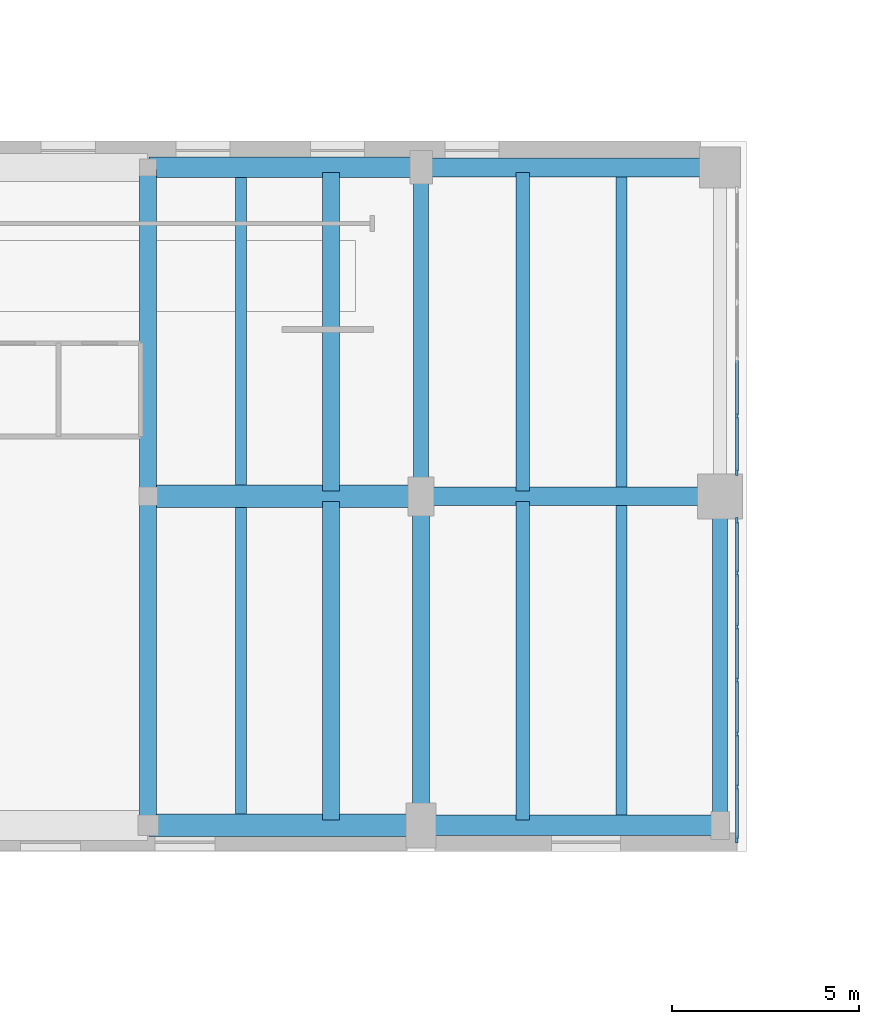
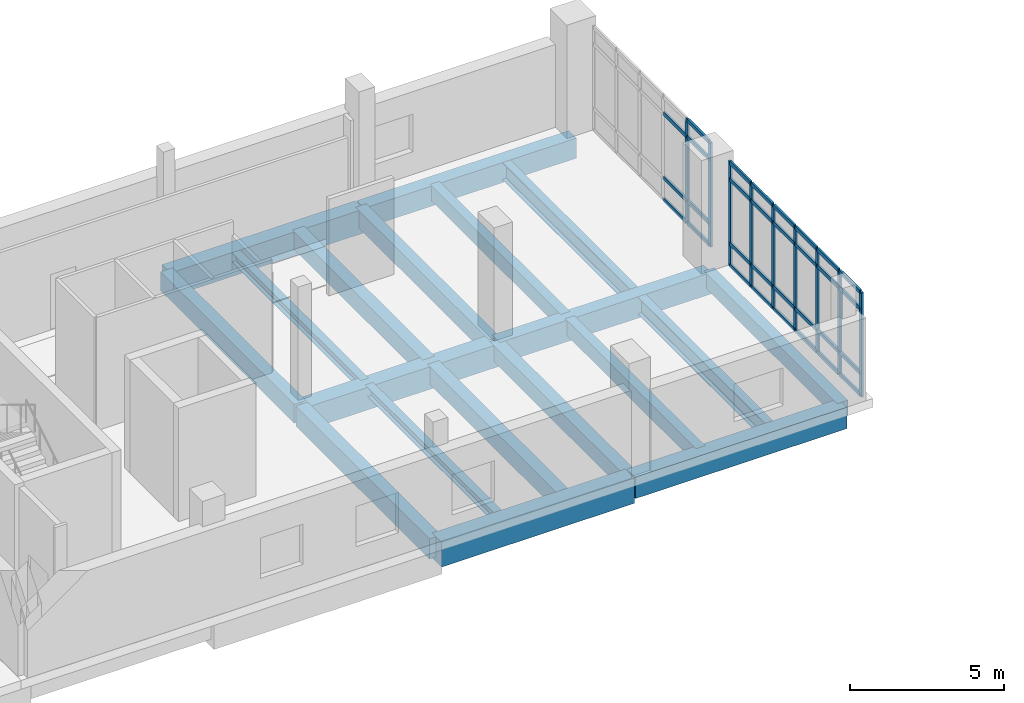
# One storey, part 34 of 75: 40 members, 19 beams, 2 elements without a shape of their own.
"""IFC4 building model written with IfcOpenShell, lengths in metres."""

from ifc_helpers import new_model, si_unit, direction, frame, origin, origin_2d, place, context, subcontext, project, spatial, rectangle, i_section, extrude, material, material_profile, profile_set, type_object, element, aggregate, save


model = new_model("IFC4")

# Units and contexts
model_context = context("Model", 3, precision=1e-05, world=origin(), true_north=direction((0.0, 1.0)))
body_context = subcontext(model_context, "Body", "Model", "MODEL_VIEW")
ifc_project = project(units=[si_unit("LENGTHUNIT", "METRE"), si_unit("AREAUNIT", "SQUARE_METRE"), si_unit("VOLUMEUNIT", "CUBIC_METRE"), si_unit("PLANEANGLEUNIT", "RADIAN"), si_unit("MASSUNIT", "GRAM", prefix="KILO")], contexts=[model_context])

# Site, building, storey
site_placement = place(None, origin())
site = spatial("IfcSite", under=ifc_project, at=site_placement, CompositionType="ELEMENT")
building_placement = place(site_placement, origin())
building = spatial("IfcBuilding", under=site, at=building_placement, Name="Soyqirgoq Riverine Aquarium", CompositionType="ELEMENT")
storey_placement = place(building_placement, frame((0.0, 0.0, 10.199951171875)))
storey = spatial("IfcBuildingStorey", under=building, at=storey_placement, Name="L03", CompositionType="ELEMENT", Elevation=10.199951171875)

# Beams
ifc_material_1 = material(Name="Concrete C40/50", Category="concrete")
ifc_material_profile_1 = material_profile(ifc_material_1, rectangle(XDim=0.35009765625, YDim=0.60009765625, at=origin_2d()), Name="RC 350x600")
ifc_profile_set_1 = profile_set([ifc_material_profile_1], Name="Concrete C40/50")
beam_type_1 = type_object("IfcBeamType", Name="Beam_RC_350x600", PredefinedType="JOIST", material=ifc_profile_set_1)
for number, where, z_axis, x_axis, name in (
    (1, (148.02001953125, 56.840087890625, -0.64990234375), (0.0, 1.0, 0.0), (-1.0, 0.0, 0.0), "V7 L03 Secondary Bay Joist 1392"),
    (2, (148.02001953125, 65.639892578125, -0.64990234375), (0.0, 1.0, 0.0), (-1.0, 0.0, 0.0), "V7 L03 Secondary Bay Joist 1396"),
):
    element("IfcBeam", number, at=place(storey_placement, frame(where, z_axis=z_axis, x_axis=x_axis)), inside=storey, type_object=beam_type_1, Name=name, PredefinedType="JOIST", context=body_context, shape_type="SweptSolid", body=[
        extrude(rectangle(XDim=0.35009765625, YDim=0.60009765625, at=origin_2d()), origin(), (0.0, 0.0, 1.0), 8.52001953125),
    ])
ifc_material_2 = material(Name="Concrete C40/50", Category="concrete")
ifc_material_profile_2 = material_profile(ifc_material_2, rectangle(XDim=0.39990234375, YDim=0.60009765625, at=origin_2d()), Name="RC 400x600")
ifc_profile_set_2 = profile_set([ifc_material_profile_2], Name="Concrete C40/50")
beam_type_2 = type_object("IfcBeamType", Name="Beam_RC_400x600", PredefinedType="JOIST", material=ifc_profile_set_2)
beam_1_placement = place(storey_placement, frame((153.300048828125, 56.75, -0.64990234375), z_axis=(0.0, 1.0, 0.0), x_axis=(-1.0, 0.0, 0.0)))
element("IfcBeam", 3, at=beam_1_placement, inside=storey, type_object=beam_type_2, Name="V7 L03 North-South Frame Beam 1388", PredefinedType="JOIST", context=body_context, shape_type="SweptSolid", body=[
    extrude(rectangle(XDim=0.39990234375, YDim=0.60009765625, at=origin_2d()), origin(), (0.0, 0.0, 1.0), 8.699951171875),
])
ifc_material_3 = material(Name="Concrete C40/50", Category="concrete")
ifc_material_profile_3 = material_profile(ifc_material_3, rectangle(XDim=0.39990234375, YDim=0.699951171875, at=origin_2d()), Name="RC 400x700")
ifc_profile_set_3 = profile_set([ifc_material_profile_3], Name="Concrete C40/50")
beam_type_3 = type_object("IfcBeamType", Name="Beam_RC_400x700", PredefinedType="BEAM", material=ifc_profile_set_3)
beam_2_placement = place(storey_placement, frame((145.300048828125, 65.550048828125, -0.699951171875), z_axis=(0.0, 1.0, 0.0), x_axis=(-1.0, 0.0, 0.0)))
element("IfcBeam", 4, at=beam_2_placement, inside=storey, type_object=beam_type_3, Name="V7 L03 North-South Frame Beam 1385", PredefinedType="BEAM", context=body_context, shape_type="SweptSolid", body=[
    extrude(rectangle(XDim=0.39990234375, YDim=0.699951171875, at=origin_2d()), origin(), (0.0, 0.0, 1.0), 8.699951171875),
])
ifc_material_4 = material(Name="Concrete C40/50", Category="concrete")
ifc_material_profile_4 = material_profile(ifc_material_4, rectangle(XDim=0.449951171875, YDim=0.64990234375, at=origin_2d()), Name="RC 450x650")
ifc_profile_set_4 = profile_set([ifc_material_profile_4], Name="Concrete C40/50")
beam_type_4 = type_object("IfcBeamType", Name="Beam_RC_450x650", PredefinedType="BEAM", material=ifc_profile_set_4)
beam_3_placement = place(storey_placement, frame((145.300048828125, 56.75, -0.675048828125), z_axis=(0.0, 1.0, 0.0), x_axis=(-1.0, 0.0, 0.0)))
element("IfcBeam", 5, at=beam_3_placement, inside=storey, type_object=beam_type_4, Name="V7 L03 North-South Frame Beam 1383", PredefinedType="BEAM", context=body_context, shape_type="SweptSolid", body=[
    extrude(rectangle(XDim=0.449951171875, YDim=0.64990234375, at=origin_2d()), origin(), (0.0, 0.0, 1.0), 8.699951171875),
])
ifc_material_5 = material(Name="Concrete C40/50", Category="concrete")
ifc_material_profile_5 = material_profile(ifc_material_5, rectangle(XDim=0.449951171875, YDim=0.699951171875, at=origin_2d()), Name="RC 450x700")
ifc_profile_set_5 = profile_set([ifc_material_profile_5], Name="Concrete C40/50")
beam_type_5 = type_object("IfcBeamType", Name="Beam_RC_450x700", PredefinedType="BEAM", material=ifc_profile_set_5)
for number, where, z_axis, x_axis, name in (
    (6, (142.89111328125, 56.840087890625, -0.699951171875), (0.0, 1.0, 0.0), (-1.0, 0.0, 0.0), "V7 L03 Secondary Bay Joist 1391"),
    (7, (142.89111328125, 65.639892578125, -0.699951171875), (0.0, 1.0, 0.0), (-1.0, 0.0, 0.0), "V7 L03 Secondary Bay Joist 1395"),
):
    element("IfcBeam", number, at=place(storey_placement, frame(where, z_axis=z_axis, x_axis=x_axis)), inside=storey, type_object=beam_type_5, Name=name, PredefinedType="BEAM", context=body_context, shape_type="SweptSolid", body=[
        extrude(rectangle(XDim=0.449951171875, YDim=0.699951171875, at=origin_2d()), origin(), (0.0, 0.0, 1.0), 8.52001953125),
    ])
ifc_material_6 = material(Name="Concrete C40/50", Category="concrete")
ifc_material_profile_6 = material_profile(ifc_material_6, rectangle(XDim=0.449951171875, YDim=0.75, at=origin_2d()), Name="RC 450x750")
ifc_profile_set_6 = profile_set([ifc_material_profile_6], Name="Concrete C40/50")
beam_type_6 = type_object("IfcBeamType", Name="Beam_RC_450x750", PredefinedType="BEAM", material=ifc_profile_set_6)
beam_4_placement = place(storey_placement, frame((138.0, 65.550048828125, -0.724853515625), z_axis=(0.0, 1.0, 0.0), x_axis=(-1.0, 0.0, 0.0)))
element("IfcBeam", 8, at=beam_4_placement, inside=storey, type_object=beam_type_6, Name="V7 L03 North-South Frame Beam 1380", PredefinedType="BEAM", context=body_context, shape_type="SweptSolid", body=[
    extrude(rectangle(XDim=0.449951171875, YDim=0.75, at=origin_2d()), origin(), (0.0, 0.0, 1.0), 8.699951171875),
])
ifc_material_7 = material(Name="Concrete C40/50", Category="concrete")
ifc_material_profile_7 = material_profile(ifc_material_7, rectangle(XDim=0.449951171875, YDim=0.800048828125, at=origin_2d()), Name="RC 450x800")
ifc_profile_set_7 = profile_set([ifc_material_profile_7], Name="Concrete C40/50")
beam_type_7 = type_object("IfcBeamType", Name="Beam_RC_450x800", PredefinedType="BEAM", material=ifc_profile_set_7)
beam_5_placement = place(storey_placement, frame((138.0, 56.75, -0.75), z_axis=(0.0, 1.0, 0.0), x_axis=(-1.0, 0.0, 0.0)))
element("IfcBeam", 9, at=beam_5_placement, inside=storey, type_object=beam_type_7, Name="V7 L03 North-South Frame Beam 1378", PredefinedType="BEAM", context=body_context, shape_type="SweptSolid", body=[
    extrude(rectangle(XDim=0.449951171875, YDim=0.800048828125, at=origin_2d()), origin(), (0.0, 0.0, 1.0), 8.699951171875),
])

# Curtain wall, members
ifc_material_8 = material(Name="Anodised aluminium thermally broken gallery curtain wall", Category="aluminium")
curtain_wall_type = type_object("IfcCurtainWallType", Name="CW_Pavilion_Ribbon", PredefinedType="NOTDEFINED", material=ifc_material_8)
curtain_wall_1_placement = place(storey_placement, origin())
curtain_wall_1 = element("IfcCurtainWall", 10, at=curtain_wall_1_placement, inside=storey, type_object=curtain_wall_type, Name="V7 L03 Curtain Wall 133", PredefinedType="NOTDEFINED")
ifc_material_9 = material(Name="Anodised aluminium 6063-T6", Category="aluminium")
ifc_material_profile_8 = material_profile(ifc_material_9, rectangle(XDim=0.06494140625, YDim=0.179931640625, at=origin_2d()), Name="ALU-M 65x180")
ifc_profile_set_8 = profile_set([ifc_material_profile_8], Name="Anodised aluminium 6063-T6")
member_type_1 = type_object("IfcMemberType", Name="CWMullion_65x180", PredefinedType="MULLION", material=ifc_profile_set_8)
member_1_placement = place(storey_placement, frame((153.75, 67.64208984375, 0.0), z_axis=(0.0, 0.0, 1.0), x_axis=(1.0, 0.0, 0.0)))
member_1 = element("IfcMember", 11, at=member_1_placement, type_object=member_type_1, Name="CW-05 mullion 5", PredefinedType="MULLION", context=body_context, shape_type="SweptSolid", body=[
    extrude(rectangle(XDim=0.06494140625, YDim=0.179931640625, at=origin_2d()), origin(), (0.0, 0.0, 1.0), 4.150146484375),
])
member_2_placement = place(storey_placement, frame((153.75, 66.152587890625, 0.0), z_axis=(0.0, 0.0, 1.0), x_axis=(1.0, 0.0, 0.0)))
member_2 = element("IfcMember", 12, at=member_2_placement, type_object=member_type_1, Name="CW-05 mullion 6", PredefinedType="MULLION", context=body_context, shape_type="SweptSolid", body=[
    extrude(rectangle(XDim=0.06494140625, YDim=0.179931640625, at=origin_2d()), origin(), (0.0, 0.0, 1.0), 4.150146484375),
])

curtain_wall_2_placement = place(storey_placement, origin())
curtain_wall_2 = element("IfcCurtainWall", 13, at=curtain_wall_2_placement, inside=storey, type_object=curtain_wall_type, Name="V7 L03 Curtain Wall 134", PredefinedType="NOTDEFINED")
member_3_placement = place(storey_placement, frame((153.75, 64.847412109375, 0.0), z_axis=(0.0, 0.0, 1.0), x_axis=(1.0, 0.0, 0.0)))
member_3 = element("IfcMember", 14, at=member_3_placement, type_object=member_type_1, Name="CW-05 mullion 1", PredefinedType="MULLION", context=body_context, shape_type="SweptSolid", body=[
    extrude(rectangle(XDim=0.06494140625, YDim=0.179931640625, at=origin_2d()), origin(), (0.0, 0.0, 1.0), 4.150146484375),
])
member_4_placement = place(storey_placement, frame((153.75, 63.4482421875, 0.0), z_axis=(0.0, 0.0, 1.0), x_axis=(1.0, 0.0, 0.0)))
member_4 = element("IfcMember", 15, at=member_4_placement, type_object=member_type_1, Name="CW-05 mullion 2", PredefinedType="MULLION", context=body_context, shape_type="SweptSolid", body=[
    extrude(rectangle(XDim=0.06494140625, YDim=0.179931640625, at=origin_2d()), origin(), (0.0, 0.0, 1.0), 4.150146484375),
])
member_5_placement = place(storey_placement, frame((153.75, 62.0166015625, 0.0), z_axis=(0.0, 0.0, 1.0), x_axis=(1.0, 0.0, 0.0)))
member_5 = element("IfcMember", 16, at=member_5_placement, type_object=member_type_1, Name="CW-05 mullion 3", PredefinedType="MULLION", context=body_context, shape_type="SweptSolid", body=[
    extrude(rectangle(XDim=0.06494140625, YDim=0.179931640625, at=origin_2d()), origin(), (0.0, 0.0, 1.0), 4.150146484375),
])
member_6_placement = place(storey_placement, frame((153.75, 60.5849609375, 0.0), z_axis=(0.0, 0.0, 1.0), x_axis=(1.0, 0.0, 0.0)))
member_6 = element("IfcMember", 17, at=member_6_placement, type_object=member_type_1, Name="CW-05 mullion 4", PredefinedType="MULLION", context=body_context, shape_type="SweptSolid", body=[
    extrude(rectangle(XDim=0.06494140625, YDim=0.179931640625, at=origin_2d()), origin(), (0.0, 0.0, 1.0), 4.150146484375),
])
member_7_placement = place(storey_placement, frame((153.75, 59.1533203125, 0.0), z_axis=(0.0, 0.0, 1.0), x_axis=(1.0, 0.0, 0.0)))
member_7 = element("IfcMember", 18, at=member_7_placement, type_object=member_type_1, Name="CW-05 mullion 5", PredefinedType="MULLION", context=body_context, shape_type="SweptSolid", body=[
    extrude(rectangle(XDim=0.06494140625, YDim=0.179931640625, at=origin_2d()), origin(), (0.0, 0.0, 1.0), 4.150146484375),
])
member_8_placement = place(storey_placement, frame((153.75, 57.7216796875, 0.0), z_axis=(0.0, 0.0, 1.0), x_axis=(1.0, 0.0, 0.0)))
member_8 = element("IfcMember", 19, at=member_8_placement, type_object=member_type_1, Name="CW-05 mullion 6", PredefinedType="MULLION", context=body_context, shape_type="SweptSolid", body=[
    extrude(rectangle(XDim=0.06494140625, YDim=0.179931640625, at=origin_2d()), origin(), (0.0, 0.0, 1.0), 4.150146484375),
])
member_9_placement = place(storey_placement, frame((153.75, 56.322509765625, 0.0), z_axis=(0.0, 0.0, 1.0), x_axis=(1.0, 0.0, 0.0)))
member_9 = element("IfcMember", 20, at=member_9_placement, type_object=member_type_1, Name="CW-05 mullion 7", PredefinedType="MULLION", context=body_context, shape_type="SweptSolid", body=[
    extrude(rectangle(XDim=0.06494140625, YDim=0.179931640625, at=origin_2d()), origin(), (0.0, 0.0, 1.0), 4.150146484375),
])

# Member
ifc_material_10 = material(Name="Anodised aluminium 6063-T6", Category="aluminium")
ifc_material_profile_9 = material_profile(ifc_material_10, rectangle(XDim=0.074951171875, YDim=0.14990234375, at=origin_2d()), Name="ALU-T 75x150")
ifc_profile_set_9 = profile_set([ifc_material_profile_9], Name="Anodised aluminium 6063-T6")
member_type_2 = type_object("IfcMemberType", Name="CWTransom_75x150", PredefinedType="USERDEFINED", material=ifc_profile_set_9)
member_10_placement = place(storey_placement, frame((153.75, 69.131591796875, 0.03759765625), z_axis=(0.0, -1.0, 0.0), x_axis=(1.0, 0.0, 0.0)))
member_10 = element("IfcMember", 21, at=member_10_placement, type_object=member_type_2, Name="CW-05 transom 4.1", ObjectType="TRANSOM", PredefinedType="USERDEFINED", context=body_context, shape_type="SweptSolid", body=[
    extrude(rectangle(XDim=0.074951171875, YDim=0.14990234375, at=origin_2d()), origin(), (0.0, 0.0, 1.0), 1.45703125),
])

member_11_placement = place(storey_placement, frame((153.75, 69.131591796875, 0.900146484375), z_axis=(0.0, -1.0, 0.0), x_axis=(1.0, 0.0, 0.0)))
member_11 = element("IfcMember", 22, at=member_11_placement, type_object=member_type_2, Name="CW-05 transom 4.2", ObjectType="TRANSOM", PredefinedType="USERDEFINED", context=body_context, shape_type="SweptSolid", body=[
    extrude(rectangle(XDim=0.074951171875, YDim=0.14990234375, at=origin_2d()), origin(), (0.0, 0.0, 1.0), 1.45703125),
])

member_12_placement = place(storey_placement, frame((153.75, 69.131591796875, 3.449951171875), z_axis=(0.0, -1.0, 0.0), x_axis=(1.0, 0.0, 0.0)))
member_12 = element("IfcMember", 23, at=member_12_placement, type_object=member_type_2, Name="CW-05 transom 4.3", ObjectType="TRANSOM", PredefinedType="USERDEFINED", context=body_context, shape_type="SweptSolid", body=[
    extrude(rectangle(XDim=0.074951171875, YDim=0.14990234375, at=origin_2d()), origin(), (0.0, 0.0, 1.0), 1.45703125),
])

member_13_placement = place(storey_placement, frame((153.75, 67.609619140625, 0.03759765625), z_axis=(0.0, -1.0, 0.0), x_axis=(1.0, 0.0, 0.0)))
member_13 = element("IfcMember", 24, at=member_13_placement, type_object=member_type_2, Name="CW-05 transom 5.1", ObjectType="TRANSOM", PredefinedType="USERDEFINED", context=body_context, shape_type="SweptSolid", body=[
    extrude(rectangle(XDim=0.074951171875, YDim=0.14990234375, at=origin_2d()), origin(), (0.0, 0.0, 1.0), 1.424560546875),
])

member_14_placement = place(storey_placement, frame((153.75, 67.609619140625, 0.900146484375), z_axis=(0.0, -1.0, 0.0), x_axis=(1.0, 0.0, 0.0)))
member_14 = element("IfcMember", 25, at=member_14_placement, type_object=member_type_2, Name="CW-05 transom 5.2", ObjectType="TRANSOM", PredefinedType="USERDEFINED", context=body_context, shape_type="SweptSolid", body=[
    extrude(rectangle(XDim=0.074951171875, YDim=0.14990234375, at=origin_2d()), origin(), (0.0, 0.0, 1.0), 1.424560546875),
])

member_15_placement = place(storey_placement, frame((153.75, 67.609619140625, 3.449951171875), z_axis=(0.0, -1.0, 0.0), x_axis=(1.0, 0.0, 0.0)))
member_15 = element("IfcMember", 26, at=member_15_placement, type_object=member_type_2, Name="CW-05 transom 5.3", ObjectType="TRANSOM", PredefinedType="USERDEFINED", context=body_context, shape_type="SweptSolid", body=[
    extrude(rectangle(XDim=0.074951171875, YDim=0.14990234375, at=origin_2d()), origin(), (0.0, 0.0, 1.0), 1.424560546875),
])

member_16_placement = place(storey_placement, frame((153.75, 67.609619140625, 4.112548828125), z_axis=(0.0, -1.0, 0.0), x_axis=(1.0, 0.0, 0.0)))
member_16 = element("IfcMember", 27, at=member_16_placement, type_object=member_type_2, Name="CW-05 transom 5.4", ObjectType="TRANSOM", PredefinedType="USERDEFINED", context=body_context, shape_type="SweptSolid", body=[
    extrude(rectangle(XDim=0.074951171875, YDim=0.14990234375, at=origin_2d()), origin(), (0.0, 0.0, 1.0), 1.424560546875),
])

aggregate(curtain_wall_1, [member_1, member_2, member_10, member_11, member_12, member_13, member_14, member_15, member_16])

member_17_placement = place(storey_placement, frame((153.75, 64.81494140625, 0.03759765625), z_axis=(0.0, -1.0, 0.0), x_axis=(1.0, 0.0, 0.0)))
member_17 = element("IfcMember", 28, at=member_17_placement, type_object=member_type_2, Name="CW-05 transom 1.1", ObjectType="TRANSOM", PredefinedType="USERDEFINED", context=body_context, shape_type="SweptSolid", body=[
    extrude(rectangle(XDim=0.074951171875, YDim=0.14990234375, at=origin_2d()), origin(), (0.0, 0.0, 1.0), 1.334228515625),
])

member_18_placement = place(storey_placement, frame((153.75, 64.81494140625, 0.900146484375), z_axis=(0.0, -1.0, 0.0), x_axis=(1.0, 0.0, 0.0)))
member_18 = element("IfcMember", 29, at=member_18_placement, type_object=member_type_2, Name="CW-05 transom 1.2", ObjectType="TRANSOM", PredefinedType="USERDEFINED", context=body_context, shape_type="SweptSolid", body=[
    extrude(rectangle(XDim=0.074951171875, YDim=0.14990234375, at=origin_2d()), origin(), (0.0, 0.0, 1.0), 1.334228515625),
])

member_19_placement = place(storey_placement, frame((153.75, 64.81494140625, 3.449951171875), z_axis=(0.0, -1.0, 0.0), x_axis=(1.0, 0.0, 0.0)))
member_19 = element("IfcMember", 30, at=member_19_placement, type_object=member_type_2, Name="CW-05 transom 1.3", ObjectType="TRANSOM", PredefinedType="USERDEFINED", context=body_context, shape_type="SweptSolid", body=[
    extrude(rectangle(XDim=0.074951171875, YDim=0.14990234375, at=origin_2d()), origin(), (0.0, 0.0, 1.0), 1.334228515625),
])

member_20_placement = place(storey_placement, frame((153.75, 64.81494140625, 4.112548828125), z_axis=(0.0, -1.0, 0.0), x_axis=(1.0, 0.0, 0.0)))
member_20 = element("IfcMember", 31, at=member_20_placement, type_object=member_type_2, Name="CW-05 transom 1.4", ObjectType="TRANSOM", PredefinedType="USERDEFINED", context=body_context, shape_type="SweptSolid", body=[
    extrude(rectangle(XDim=0.074951171875, YDim=0.14990234375, at=origin_2d()), origin(), (0.0, 0.0, 1.0), 1.334228515625),
])

member_21_placement = place(storey_placement, frame((153.75, 63.415771484375, 0.03759765625), z_axis=(0.0, -1.0, 0.0), x_axis=(1.0, 0.0, 0.0)))
member_21 = element("IfcMember", 32, at=member_21_placement, type_object=member_type_2, Name="CW-05 transom 2.1", ObjectType="TRANSOM", PredefinedType="USERDEFINED", context=body_context, shape_type="SweptSolid", body=[
    extrude(rectangle(XDim=0.074951171875, YDim=0.14990234375, at=origin_2d()), origin(), (0.0, 0.0, 1.0), 1.36669921875),
])

member_22_placement = place(storey_placement, frame((153.75, 63.415771484375, 0.900146484375), z_axis=(0.0, -1.0, 0.0), x_axis=(1.0, 0.0, 0.0)))
member_22 = element("IfcMember", 33, at=member_22_placement, type_object=member_type_2, Name="CW-05 transom 2.2", ObjectType="TRANSOM", PredefinedType="USERDEFINED", context=body_context, shape_type="SweptSolid", body=[
    extrude(rectangle(XDim=0.074951171875, YDim=0.14990234375, at=origin_2d()), origin(), (0.0, 0.0, 1.0), 1.36669921875),
])

member_23_placement = place(storey_placement, frame((153.75, 63.415771484375, 3.449951171875), z_axis=(0.0, -1.0, 0.0), x_axis=(1.0, 0.0, 0.0)))
member_23 = element("IfcMember", 34, at=member_23_placement, type_object=member_type_2, Name="CW-05 transom 2.3", ObjectType="TRANSOM", PredefinedType="USERDEFINED", context=body_context, shape_type="SweptSolid", body=[
    extrude(rectangle(XDim=0.074951171875, YDim=0.14990234375, at=origin_2d()), origin(), (0.0, 0.0, 1.0), 1.36669921875),
])

member_24_placement = place(storey_placement, frame((153.75, 63.415771484375, 4.112548828125), z_axis=(0.0, -1.0, 0.0), x_axis=(1.0, 0.0, 0.0)))
member_24 = element("IfcMember", 35, at=member_24_placement, type_object=member_type_2, Name="CW-05 transom 2.4", ObjectType="TRANSOM", PredefinedType="USERDEFINED", context=body_context, shape_type="SweptSolid", body=[
    extrude(rectangle(XDim=0.074951171875, YDim=0.14990234375, at=origin_2d()), origin(), (0.0, 0.0, 1.0), 1.36669921875),
])

member_25_placement = place(storey_placement, frame((153.75, 61.984130859375, 0.03759765625), z_axis=(0.0, -1.0, 0.0), x_axis=(1.0, 0.0, 0.0)))
member_25 = element("IfcMember", 36, at=member_25_placement, type_object=member_type_2, Name="CW-05 transom 3.1", ObjectType="TRANSOM", PredefinedType="USERDEFINED", context=body_context, shape_type="SweptSolid", body=[
    extrude(rectangle(XDim=0.074951171875, YDim=0.14990234375, at=origin_2d()), origin(), (0.0, 0.0, 1.0), 1.36669921875),
])

member_26_placement = place(storey_placement, frame((153.75, 61.984130859375, 0.900146484375), z_axis=(0.0, -1.0, 0.0), x_axis=(1.0, 0.0, 0.0)))
member_26 = element("IfcMember", 37, at=member_26_placement, type_object=member_type_2, Name="CW-05 transom 3.2", ObjectType="TRANSOM", PredefinedType="USERDEFINED", context=body_context, shape_type="SweptSolid", body=[
    extrude(rectangle(XDim=0.074951171875, YDim=0.14990234375, at=origin_2d()), origin(), (0.0, 0.0, 1.0), 1.36669921875),
])

member_27_placement = place(storey_placement, frame((153.75, 61.984130859375, 3.449951171875), z_axis=(0.0, -1.0, 0.0), x_axis=(1.0, 0.0, 0.0)))
member_27 = element("IfcMember", 38, at=member_27_placement, type_object=member_type_2, Name="CW-05 transom 3.3", ObjectType="TRANSOM", PredefinedType="USERDEFINED", context=body_context, shape_type="SweptSolid", body=[
    extrude(rectangle(XDim=0.074951171875, YDim=0.14990234375, at=origin_2d()), origin(), (0.0, 0.0, 1.0), 1.36669921875),
])

member_28_placement = place(storey_placement, frame((153.75, 61.984130859375, 4.112548828125), z_axis=(0.0, -1.0, 0.0), x_axis=(1.0, 0.0, 0.0)))
member_28 = element("IfcMember", 39, at=member_28_placement, type_object=member_type_2, Name="CW-05 transom 3.4", ObjectType="TRANSOM", PredefinedType="USERDEFINED", context=body_context, shape_type="SweptSolid", body=[
    extrude(rectangle(XDim=0.074951171875, YDim=0.14990234375, at=origin_2d()), origin(), (0.0, 0.0, 1.0), 1.36669921875),
])

member_29_placement = place(storey_placement, frame((153.75, 60.552490234375, 0.03759765625), z_axis=(0.0, -1.0, 0.0), x_axis=(1.0, 0.0, 0.0)))
member_29 = element("IfcMember", 40, at=member_29_placement, type_object=member_type_2, Name="CW-05 transom 4.1", ObjectType="TRANSOM", PredefinedType="USERDEFINED", context=body_context, shape_type="SweptSolid", body=[
    extrude(rectangle(XDim=0.074951171875, YDim=0.14990234375, at=origin_2d()), origin(), (0.0, 0.0, 1.0), 1.36669921875),
])

member_30_placement = place(storey_placement, frame((153.75, 60.552490234375, 0.900146484375), z_axis=(0.0, -1.0, 0.0), x_axis=(1.0, 0.0, 0.0)))
member_30 = element("IfcMember", 41, at=member_30_placement, type_object=member_type_2, Name="CW-05 transom 4.2", ObjectType="TRANSOM", PredefinedType="USERDEFINED", context=body_context, shape_type="SweptSolid", body=[
    extrude(rectangle(XDim=0.074951171875, YDim=0.14990234375, at=origin_2d()), origin(), (0.0, 0.0, 1.0), 1.36669921875),
])

member_31_placement = place(storey_placement, frame((153.75, 60.552490234375, 3.449951171875), z_axis=(0.0, -1.0, 0.0), x_axis=(1.0, 0.0, 0.0)))
member_31 = element("IfcMember", 42, at=member_31_placement, type_object=member_type_2, Name="CW-05 transom 4.3", ObjectType="TRANSOM", PredefinedType="USERDEFINED", context=body_context, shape_type="SweptSolid", body=[
    extrude(rectangle(XDim=0.074951171875, YDim=0.14990234375, at=origin_2d()), origin(), (0.0, 0.0, 1.0), 1.36669921875),
])

member_32_placement = place(storey_placement, frame((153.75, 60.552490234375, 4.112548828125), z_axis=(0.0, -1.0, 0.0), x_axis=(1.0, 0.0, 0.0)))
member_32 = element("IfcMember", 43, at=member_32_placement, type_object=member_type_2, Name="CW-05 transom 4.4", ObjectType="TRANSOM", PredefinedType="USERDEFINED", context=body_context, shape_type="SweptSolid", body=[
    extrude(rectangle(XDim=0.074951171875, YDim=0.14990234375, at=origin_2d()), origin(), (0.0, 0.0, 1.0), 1.36669921875),
])

member_33_placement = place(storey_placement, frame((153.75, 59.120849609375, 0.03759765625), z_axis=(0.0, -1.0, 0.0), x_axis=(1.0, 0.0, 0.0)))
member_33 = element("IfcMember", 44, at=member_33_placement, type_object=member_type_2, Name="CW-05 transom 5.1", ObjectType="TRANSOM", PredefinedType="USERDEFINED", context=body_context, shape_type="SweptSolid", body=[
    extrude(rectangle(XDim=0.074951171875, YDim=0.14990234375, at=origin_2d()), origin(), (0.0, 0.0, 1.0), 1.36669921875),
])

member_34_placement = place(storey_placement, frame((153.75, 59.120849609375, 0.900146484375), z_axis=(0.0, -1.0, 0.0), x_axis=(1.0, 0.0, 0.0)))
member_34 = element("IfcMember", 45, at=member_34_placement, type_object=member_type_2, Name="CW-05 transom 5.2", ObjectType="TRANSOM", PredefinedType="USERDEFINED", context=body_context, shape_type="SweptSolid", body=[
    extrude(rectangle(XDim=0.074951171875, YDim=0.14990234375, at=origin_2d()), origin(), (0.0, 0.0, 1.0), 1.36669921875),
])

member_35_placement = place(storey_placement, frame((153.75, 59.120849609375, 3.449951171875), z_axis=(0.0, -1.0, 0.0), x_axis=(1.0, 0.0, 0.0)))
member_35 = element("IfcMember", 46, at=member_35_placement, type_object=member_type_2, Name="CW-05 transom 5.3", ObjectType="TRANSOM", PredefinedType="USERDEFINED", context=body_context, shape_type="SweptSolid", body=[
    extrude(rectangle(XDim=0.074951171875, YDim=0.14990234375, at=origin_2d()), origin(), (0.0, 0.0, 1.0), 1.36669921875),
])

member_36_placement = place(storey_placement, frame((153.75, 59.120849609375, 4.112548828125), z_axis=(0.0, -1.0, 0.0), x_axis=(1.0, 0.0, 0.0)))
member_36 = element("IfcMember", 47, at=member_36_placement, type_object=member_type_2, Name="CW-05 transom 5.4", ObjectType="TRANSOM", PredefinedType="USERDEFINED", context=body_context, shape_type="SweptSolid", body=[
    extrude(rectangle(XDim=0.074951171875, YDim=0.14990234375, at=origin_2d()), origin(), (0.0, 0.0, 1.0), 1.36669921875),
])

member_37_placement = place(storey_placement, frame((153.75, 57.689208984375, 0.03759765625), z_axis=(0.0, -1.0, 0.0), x_axis=(1.0, 0.0, 0.0)))
member_37 = element("IfcMember", 48, at=member_37_placement, type_object=member_type_2, Name="CW-05 transom 6.1", ObjectType="TRANSOM", PredefinedType="USERDEFINED", context=body_context, shape_type="SweptSolid", body=[
    extrude(rectangle(XDim=0.074951171875, YDim=0.14990234375, at=origin_2d()), origin(), (0.0, 0.0, 1.0), 1.334228515625),
])

member_38_placement = place(storey_placement, frame((153.75, 57.689208984375, 0.900146484375), z_axis=(0.0, -1.0, 0.0), x_axis=(1.0, 0.0, 0.0)))
member_38 = element("IfcMember", 49, at=member_38_placement, type_object=member_type_2, Name="CW-05 transom 6.2", ObjectType="TRANSOM", PredefinedType="USERDEFINED", context=body_context, shape_type="SweptSolid", body=[
    extrude(rectangle(XDim=0.074951171875, YDim=0.14990234375, at=origin_2d()), origin(), (0.0, 0.0, 1.0), 1.334228515625),
])

member_39_placement = place(storey_placement, frame((153.75, 57.689208984375, 3.449951171875), z_axis=(0.0, -1.0, 0.0), x_axis=(1.0, 0.0, 0.0)))
member_39 = element("IfcMember", 50, at=member_39_placement, type_object=member_type_2, Name="CW-05 transom 6.3", ObjectType="TRANSOM", PredefinedType="USERDEFINED", context=body_context, shape_type="SweptSolid", body=[
    extrude(rectangle(XDim=0.074951171875, YDim=0.14990234375, at=origin_2d()), origin(), (0.0, 0.0, 1.0), 1.334228515625),
])

member_40_placement = place(storey_placement, frame((153.75, 57.689208984375, 4.112548828125), z_axis=(0.0, -1.0, 0.0), x_axis=(1.0, 0.0, 0.0)))
member_40 = element("IfcMember", 51, at=member_40_placement, type_object=member_type_2, Name="CW-05 transom 6.4", ObjectType="TRANSOM", PredefinedType="USERDEFINED", context=body_context, shape_type="SweptSolid", body=[
    extrude(rectangle(XDim=0.074951171875, YDim=0.14990234375, at=origin_2d()), origin(), (0.0, 0.0, 1.0), 1.334228515625),
])

aggregate(curtain_wall_2, [member_3, member_4, member_5, member_6, member_7, member_8, member_9, member_17, member_18, member_19, member_20, member_21, member_22, member_23, member_24, member_25, member_26, member_27, member_28, member_29, member_30, member_31, member_32, member_33, member_34, member_35, member_36, member_37, member_38, member_39, member_40])

# Beams
ifc_material_11 = material(Name="Concrete C40/50", Category="concrete")
ifc_material_profile_10 = material_profile(ifc_material_11, rectangle(XDim=0.5, YDim=0.800048828125, at=origin_2d()), Name="RC 500x800")
ifc_profile_set_10 = profile_set([ifc_material_profile_10], Name="Concrete C40/50")
beam_type_8 = type_object("IfcBeamType", Name="Girder_RC_500x800", PredefinedType="BEAM", material=ifc_profile_set_10)
beam_6_placement = place(storey_placement, frame((145.320068359375, 74.300048828125, -0.75), z_axis=(1.0, 0.0, 0.0), x_axis=(0.0, 1.0, 0.0)))
element("IfcBeam", 52, at=beam_6_placement, inside=storey, type_object=beam_type_8, Name="V7 L03 East-West Frame Girder 1387", PredefinedType="BEAM", context=body_context, shape_type="SweptSolid", body=[
    extrude(rectangle(XDim=0.5, YDim=0.800048828125, at=origin_2d()), origin(), (0.0, 0.0, 1.0), 7.9599609375),
])
ifc_material_12 = material(Name="Concrete C40/50", Category="concrete")
ifc_material_profile_11 = material_profile(ifc_material_12, rectangle(XDim=0.5, YDim=0.85009765625, at=origin_2d()), Name="RC 500x850")
ifc_profile_set_11 = profile_set([ifc_material_profile_11], Name="Concrete C40/50")
beam_type_9 = type_object("IfcBeamType", Name="Girder_RC_500x850", PredefinedType="BEAM", material=ifc_profile_set_11)
beam_7_placement = place(storey_placement, frame((145.320068359375, 65.5, -0.77490234375), z_axis=(1.0, 0.0, 0.0), x_axis=(0.0, 1.0, 0.0)))
element("IfcBeam", 53, at=beam_7_placement, inside=storey, type_object=beam_type_9, Name="V7 L03 East-West Frame Girder 1386", PredefinedType="BEAM", context=body_context, shape_type="SweptSolid", body=[
    extrude(rectangle(XDim=0.5, YDim=0.85009765625, at=origin_2d()), origin(), (0.0, 0.0, 1.0), 7.9599609375),
])
ifc_material_13 = material(Name="Concrete C40/50", Category="concrete")
ifc_material_profile_12 = material_profile(ifc_material_13, rectangle(XDim=0.550048828125, YDim=0.85009765625, at=origin_2d()), Name="RC 550x850")
ifc_profile_set_12 = profile_set([ifc_material_profile_12], Name="Concrete C40/50")
beam_type_10 = type_object("IfcBeamType", Name="Girder_RC_550x850", PredefinedType="BEAM", material=ifc_profile_set_12)
beam_8_placement = place(storey_placement, frame((145.320068359375, 56.699951171875, -0.77490234375), z_axis=(1.0, 0.0, 0.0), x_axis=(0.0, 1.0, 0.0)))
element("IfcBeam", 54, at=beam_8_placement, inside=storey, type_object=beam_type_10, Name="V7 L03 East-West Frame Girder 1384", PredefinedType="BEAM", context=body_context, shape_type="SweptSolid", body=[
    extrude(rectangle(XDim=0.550048828125, YDim=0.85009765625, at=origin_2d()), origin(), (0.0, 0.0, 1.0), 7.9599609375),
])
ifc_material_14 = material(Name="Concrete C40/50", Category="concrete")
ifc_material_profile_13 = material_profile(ifc_material_14, rectangle(XDim=0.550048828125, YDim=0.949951171875, at=origin_2d()), Name="RC 550x950")
ifc_profile_set_13 = profile_set([ifc_material_profile_13], Name="Concrete C40/50")
beam_type_11 = type_object("IfcBeamType", Name="Girder_RC_550x950", PredefinedType="BEAM", material=ifc_profile_set_13)
beam_9_placement = place(storey_placement, frame((138.02001953125, 74.300048828125, -0.824951171875), z_axis=(1.0, 0.0, 0.0), x_axis=(0.0, 1.0, 0.0)))
element("IfcBeam", 55, at=beam_9_placement, inside=storey, type_object=beam_type_11, Name="V7 L03 East-West Frame Girder 1382", PredefinedType="BEAM", context=body_context, shape_type="SweptSolid", body=[
    extrude(rectangle(XDim=0.550048828125, YDim=0.949951171875, at=origin_2d()), origin(), (0.0, 0.0, 1.0), 7.260009765625),
])
ifc_material_15 = material(Name="Concrete C40/50", Category="concrete")
ifc_material_profile_14 = material_profile(ifc_material_15, rectangle(XDim=0.60009765625, YDim=1.0, at=origin_2d()), Name="RC 600x1000")
ifc_profile_set_14 = profile_set([ifc_material_profile_14], Name="Concrete C40/50")
beam_type_12 = type_object("IfcBeamType", Name="Girder_RC_600x1000", PredefinedType="BEAM", material=ifc_profile_set_14)
beam_10_placement = place(storey_placement, frame((138.02001953125, 56.699951171875, -0.849853515625), z_axis=(1.0, 0.0, 0.0), x_axis=(0.0, 1.0, 0.0)))
element("IfcBeam", 56, at=beam_10_placement, inside=storey, type_object=beam_type_12, Name="V7 L03 East-West Frame Girder 1379", PredefinedType="BEAM", context=body_context, shape_type="SweptSolid", body=[
    extrude(rectangle(XDim=0.60009765625, YDim=1.0, at=origin_2d()), origin(), (0.0, 0.0, 1.0), 7.260009765625),
])
ifc_material_16 = material(Name="Concrete C40/50", Category="concrete")
ifc_material_profile_15 = material_profile(ifc_material_16, rectangle(XDim=0.60009765625, YDim=0.89990234375, at=origin_2d()), Name="RC 600x900")
ifc_profile_set_15 = profile_set([ifc_material_profile_15], Name="Concrete C40/50")
beam_type_13 = type_object("IfcBeamType", Name="Girder_RC_600x900", PredefinedType="BEAM", material=ifc_profile_set_15)
beam_11_placement = place(storey_placement, frame((138.02001953125, 65.5, -0.800048828125), z_axis=(1.0, 0.0, 0.0), x_axis=(0.0, 1.0, 0.0)))
element("IfcBeam", 57, at=beam_11_placement, inside=storey, type_object=beam_type_13, Name="V7 L03 East-West Frame Girder 1381", PredefinedType="BEAM", context=body_context, shape_type="SweptSolid", body=[
    extrude(rectangle(XDim=0.60009765625, YDim=0.89990234375, at=origin_2d()), origin(), (0.0, 0.0, 1.0), 7.260009765625),
])
ifc_material_17 = material(Name="Structural steel S355", Category="steel")
ifc_material_profile_16 = material_profile(ifc_material_17, i_section(OverallWidth=0.300048828125, OverallDepth=0.389892578125, WebThickness=0.010986328125, FlangeThickness=0.01904296875, FilletRadius=0.027099609375, at=origin_2d()), Name="HEA 400")
ifc_profile_set_16 = profile_set([ifc_material_profile_16], Name="Structural steel S355")
beam_type_14 = type_object("IfcBeamType", Name="SteelBeam_HEA400", PredefinedType="BEAM", material=ifc_profile_set_16)
for number, where, z_axis, x_axis, name in (
    (58, (140.48193359375, 56.840087890625, -0.544921875), (0.0, 1.0, 0.0), (-1.0, 0.0, 0.0), "V7 L03 Secondary Bay Joist 1390"),
    (59, (140.48193359375, 65.639892578125, -0.544921875), (0.0, 1.0, 0.0), (-1.0, 0.0, 0.0), "V7 L03 Secondary Bay Joist 1394"),
):
    element("IfcBeam", number, at=place(storey_placement, frame(where, z_axis=z_axis, x_axis=x_axis)), inside=storey, type_object=beam_type_14, Name=name, PredefinedType="BEAM", context=body_context, shape_type="SweptSolid", body=[
        extrude(i_section(OverallWidth=0.300048828125, OverallDepth=0.389892578125, WebThickness=0.010986328125, FlangeThickness=0.01904296875, FilletRadius=0.027099609375, at=origin_2d()), origin(), (0.0, 0.0, 1.0), 8.52001953125),
    ])
ifc_material_18 = material(Name="Structural steel S355", Category="steel")
ifc_material_profile_17 = material_profile(ifc_material_18, i_section(OverallWidth=0.300048828125, OverallDepth=0.68994140625, WebThickness=0.014404296875, FlangeThickness=0.027099609375, FilletRadius=0.027099609375, at=origin_2d()), Name="HEA 700")
ifc_profile_set_17 = profile_set([ifc_material_profile_17], Name="Structural steel S355")
beam_type_15 = type_object("IfcBeamType", Name="SteelBeam_HEA700", PredefinedType="BEAM", material=ifc_profile_set_17)
for number, where, z_axis, x_axis, name in (
    (60, (150.659912109375, 56.840087890625, -0.695068359375), (0.0, 1.0, 0.0), (-1.0, 0.0, 0.0), "V7 L03 Secondary Bay Joist 1393"),
    (61, (150.659912109375, 65.639892578125, -0.695068359375), (0.0, 1.0, 0.0), (-1.0, 0.0, 0.0), "V7 L03 Secondary Bay Joist 1397"),
):
    element("IfcBeam", number, at=place(storey_placement, frame(where, z_axis=z_axis, x_axis=x_axis)), inside=storey, type_object=beam_type_15, Name=name, PredefinedType="BEAM", context=body_context, shape_type="SweptSolid", body=[
        extrude(i_section(OverallWidth=0.300048828125, OverallDepth=0.68994140625, WebThickness=0.014404296875, FlangeThickness=0.027099609375, FilletRadius=0.027099609375, at=origin_2d()), origin(), (0.0, 0.0, 1.0), 8.52001953125),
    ])

save(model, "model.ifc")
